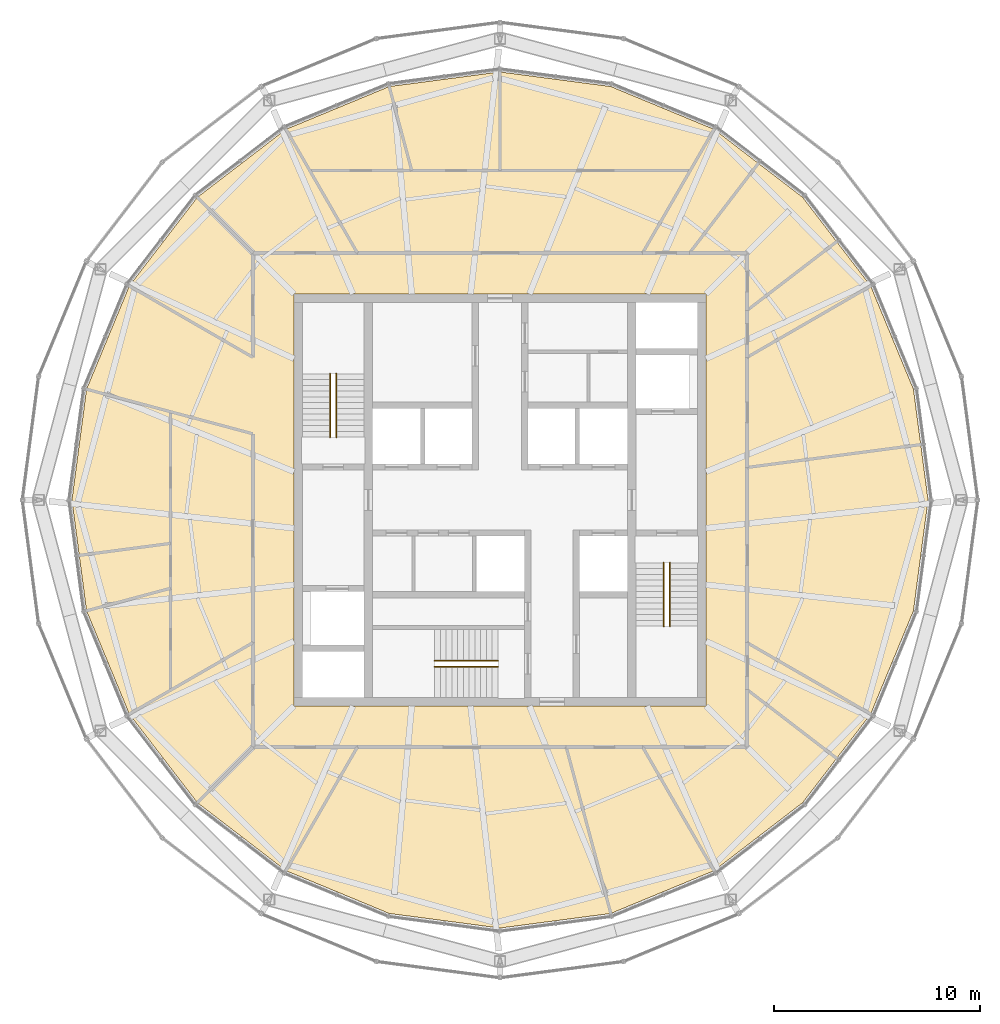
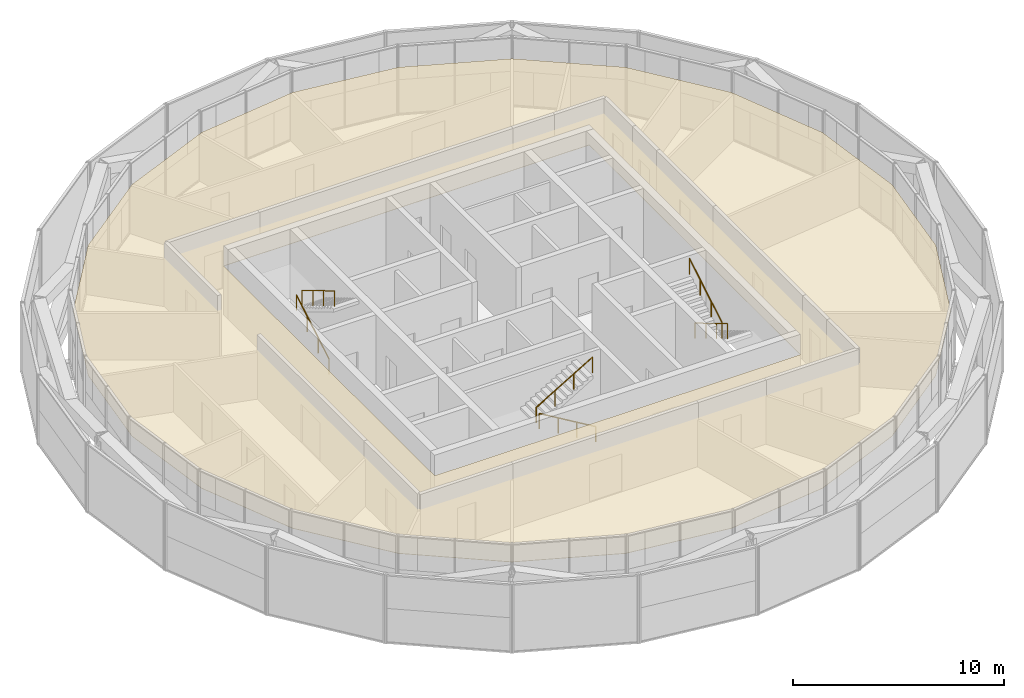
# One storey, part 17 of 17: 6 railings, 1 covering.
"""IFC4 building model written with IfcOpenShell, lengths in metres."""

from ifc_helpers import new_model, si_unit, direction, frame, origin, origin_2d, place, context, subcontext, project, spatial, polyline, circle, outline, extrude, material, layer, layer_set, type_object, element, save


model = new_model("IFC4")

# Units and contexts
model_context = context("Model", 3, precision=1e-05, world=origin(), true_north=direction((0.0, 1.0)))
body_context = subcontext(model_context, "Body", "Model", "MODEL_VIEW")
ifc_project = project(units=[si_unit("LENGTHUNIT", "METRE"), si_unit("AREAUNIT", "SQUARE_METRE"), si_unit("VOLUMEUNIT", "CUBIC_METRE"), si_unit("PLANEANGLEUNIT", "RADIAN"), si_unit("MASSUNIT", "GRAM", prefix="KILO")], contexts=[model_context])

# Site, building, storey
site_placement = place(None, origin())
site = spatial("IfcSite", under=ifc_project, at=site_placement, CompositionType="ELEMENT")
building_placement = place(site_placement, origin())
building = spatial("IfcBuilding", under=site, at=building_placement, Name="Golbaran Civic Tower", CompositionType="ELEMENT")
storey_placement = place(building_placement, frame((0.0, 0.0, 280.0)))
storey = spatial("IfcBuildingStorey", under=building, at=storey_placement, Name="L68", CompositionType="ELEMENT", Elevation=280.0)

# Railings
ifc_material_1 = material(Name="Stainless steel", Category="steel")
railing_type = type_object("IfcRailingType", Name="STAIR HANDRAIL 900", PredefinedType="HANDRAIL", material=ifc_material_1)
railing_1_placement = place(storey_placement, frame((-8.25, 3.050048828125, 0.166748046875)))
element("IfcRailing", 1, at=railing_1_placement, inside=storey, type_object=railing_type, Name="Stair S1 handrail flight 1 L68", PredefinedType="HANDRAIL", context=body_context, shape_type="SweptSolid", body=[
    extrude(circle(Radius=0.02392578125, at=origin_2d()), frame((0.0, 0.0, 0.8759765625), z_axis=(0.0, 0.859290745958, 0.51148745235), x_axis=(-1.0, 0.0, 0.0)), (0.0, 0.0, 1.0), 3.584228515625),
    extrude(circle(Radius=0.02099609375, at=origin_2d()), origin(), (0.0, 0.0, 1.0), 0.851806640625),
    extrude(circle(Radius=0.02099609375, at=origin_2d()), frame((0.0, 1.026611328125, 0.611083984375)), (0.0, 0.0, 1.0), 0.851806640625),
    extrude(circle(Radius=0.02099609375, at=origin_2d()), frame((0.0, 2.05322265625, 1.22216796875)), (0.0, 0.0, 1.0), 0.851806640625),
    extrude(circle(Radius=0.02099609375, at=origin_2d()), frame((0.0, 3.079833984375, 1.833251953125)), (0.0, 0.0, 1.0), 0.851806640625),
])
for number, where, name in (
    (2, (-7.949951171875, 6.1298828125, 2.166748046875), "Stair S1 handrail flight 2 L68"),
    (3, (8.25, -3.050048828125, 0.166748046875), "Stair S2 handrail flight 1 L68"),
):
    element("IfcRailing", number, at=place(storey_placement, frame(where)), inside=storey, type_object=railing_type, Name=name, PredefinedType="HANDRAIL", context=body_context, shape_type="SweptSolid", body=[
        extrude(circle(Radius=0.02392578125, at=origin_2d()), frame((0.0, 0.0, 0.8759765625), z_axis=(0.0, -0.859290745958, 0.51148745235), x_axis=(1.0, 0.0, 0.0)), (0.0, 0.0, 1.0), 3.584228515625),
        extrude(circle(Radius=0.02099609375, at=origin_2d()), origin(), (0.0, 0.0, 1.0), 0.851806640625),
        extrude(circle(Radius=0.02099609375, at=origin_2d()), frame((0.0, -1.026611328125, 0.611083984375)), (0.0, 0.0, 1.0), 0.851806640625),
        extrude(circle(Radius=0.02099609375, at=origin_2d()), frame((0.0, -2.05322265625, 1.22216796875)), (0.0, 0.0, 1.0), 0.851806640625),
        extrude(circle(Radius=0.02099609375, at=origin_2d()), frame((0.0, -3.079833984375, 1.833251953125)), (0.0, 0.0, 1.0), 0.851806640625),
    ])
railing_2_placement = place(storey_placement, frame((7.949951171875, -6.1298828125, 2.166748046875)))
element("IfcRailing", 4, at=railing_2_placement, inside=storey, type_object=railing_type, Name="Stair S2 handrail flight 2 L68", PredefinedType="HANDRAIL", context=body_context, shape_type="SweptSolid", body=[
    extrude(circle(Radius=0.02392578125, at=origin_2d()), frame((0.0, 0.0, 0.8759765625), z_axis=(0.0, 0.859290745958, 0.51148745235), x_axis=(-1.0, 0.0, 0.0)), (0.0, 0.0, 1.0), 3.584228515625),
    extrude(circle(Radius=0.02099609375, at=origin_2d()), origin(), (0.0, 0.0, 1.0), 0.851806640625),
    extrude(circle(Radius=0.02099609375, at=origin_2d()), frame((0.0, 1.026611328125, 0.611083984375)), (0.0, 0.0, 1.0), 0.851806640625),
    extrude(circle(Radius=0.02099609375, at=origin_2d()), frame((0.0, 2.05322265625, 1.22216796875)), (0.0, 0.0, 1.0), 0.851806640625),
    extrude(circle(Radius=0.02099609375, at=origin_2d()), frame((0.0, 3.079833984375, 1.833251953125)), (0.0, 0.0, 1.0), 0.851806640625),
])
railing_3_placement = place(storey_placement, frame((-0.10009765625, -8.10009765625, 0.166748046875)))
element("IfcRailing", 5, at=railing_3_placement, inside=storey, type_object=railing_type, Name="Stair S3 handrail flight 1 L68", PredefinedType="HANDRAIL", context=body_context, shape_type="SweptSolid", body=[
    extrude(circle(Radius=0.02392578125, at=origin_2d()), frame((0.0, 0.0, 0.8759765625), z_axis=(-0.859290745958, 0.0, 0.51148745235), x_axis=(0.0, -1.0, 0.0)), (0.0, 0.0, 1.0), 3.584228515625),
    extrude(circle(Radius=0.02099609375, at=origin_2d()), origin(), (0.0, 0.0, 1.0), 0.851806640625),
    extrude(circle(Radius=0.02099609375, at=origin_2d()), frame((-1.026611328125, 0.0, 0.611083984375)), (0.0, 0.0, 1.0), 0.851806640625),
    extrude(circle(Radius=0.02099609375, at=origin_2d()), frame((-2.05322265625, 0.0, 1.22216796875)), (0.0, 0.0, 1.0), 0.851806640625),
    extrude(circle(Radius=0.02099609375, at=origin_2d()), frame((-3.079833984375, 0.0, 1.833251953125)), (0.0, 0.0, 1.0), 0.851806640625),
])
railing_4_placement = place(storey_placement, frame((-3.179931640625, -7.800048828125, 2.166748046875)))
element("IfcRailing", 6, at=railing_4_placement, inside=storey, type_object=railing_type, Name="Stair S3 handrail flight 2 L68", PredefinedType="HANDRAIL", context=body_context, shape_type="SweptSolid", body=[
    extrude(circle(Radius=0.02392578125, at=origin_2d()), frame((0.0, 0.0, 0.8759765625), z_axis=(0.859290745958, 0.0, 0.51148745235), x_axis=(0.0, 1.0, 0.0)), (0.0, 0.0, 1.0), 3.584228515625),
    extrude(circle(Radius=0.02099609375, at=origin_2d()), origin(), (0.0, 0.0, 1.0), 0.851806640625),
    extrude(circle(Radius=0.02099609375, at=origin_2d()), frame((1.026611328125, 0.0, 0.611083984375)), (0.0, 0.0, 1.0), 0.851806640625),
    extrude(circle(Radius=0.02099609375, at=origin_2d()), frame((2.05322265625, 0.0, 1.22216796875)), (0.0, 0.0, 1.0), 0.851806640625),
    extrude(circle(Radius=0.02099609375, at=origin_2d()), frame((3.079833984375, 0.0, 1.833251953125)), (0.0, 0.0, 1.0), 0.851806640625),
])

# Covering
ifc_material_2 = material(Name="Mineral fibre tile on steel grid", Category="steel")
ifc_layer = layer(ifc_material_2, 0.02001953125, Name="Mineral fibre tile on steel grid")
ifc_layer_set = layer_set([ifc_layer], Name="Mineral fibre tile on steel grid")
covering_type = type_object("IfcCoveringType", Name="SUSPENDED CEILING 600 TILE 20", PredefinedType="CEILING", material=ifc_layer_set)
covering_placement = place(storey_placement, frame((0.0, 0.0, 2.800048828125)))
element("IfcCovering", 7, at=covering_placement, inside=storey, type_object=covering_type, Name="Suspended ceiling L68", PredefinedType="CEILING", context=body_context, shape_type="SweptSolid", body=[
    extrude(outline(polyline([(-20.07861328125, 5.380126953125), (-18.001953125, 10.3935546875), (-14.69873046875, 14.69873046875), (-10.3935546875, 18.001953125), (-5.380126953125, 20.07861328125), (0.0, 20.787109375), (5.380126953125, 20.07861328125), (10.3935546875, 18.001953125), (14.69873046875, 14.69873046875), (18.001953125, 10.3935546875), (20.07861328125, 5.380126953125), (20.787109375, 0.0), (20.07861328125, -5.380126953125), (18.001953125, -10.3935546875), (14.69873046875, -14.69873046875), (10.3935546875, -18.001953125), (5.380126953125, -20.07861328125), (0.0, -20.787109375), (-5.380126953125, -20.07861328125), (-10.3935546875, -18.001953125), (-14.69873046875, -14.69873046875), (-18.001953125, -10.3935546875), (-20.07861328125, -5.380126953125), (-20.787109375, 0.0), (-20.07861328125, 5.380126953125)]), holes=[polyline([(10.0, 10.0), (-10.0, 10.0), (-10.0, -10.0), (10.0, -10.0), (10.0, 10.0)])]), origin(), (0.0, 0.0, 1.0), 0.02001953125),
])

save(model, "model.ifc")
